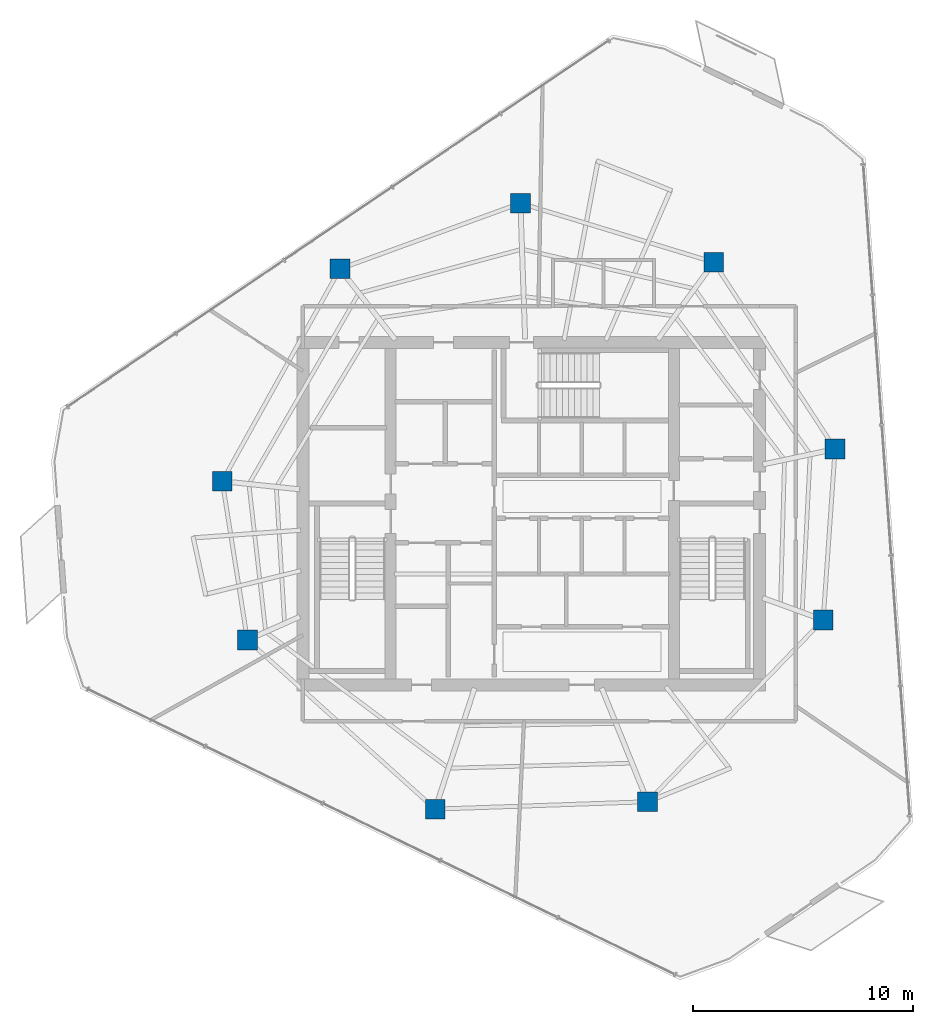
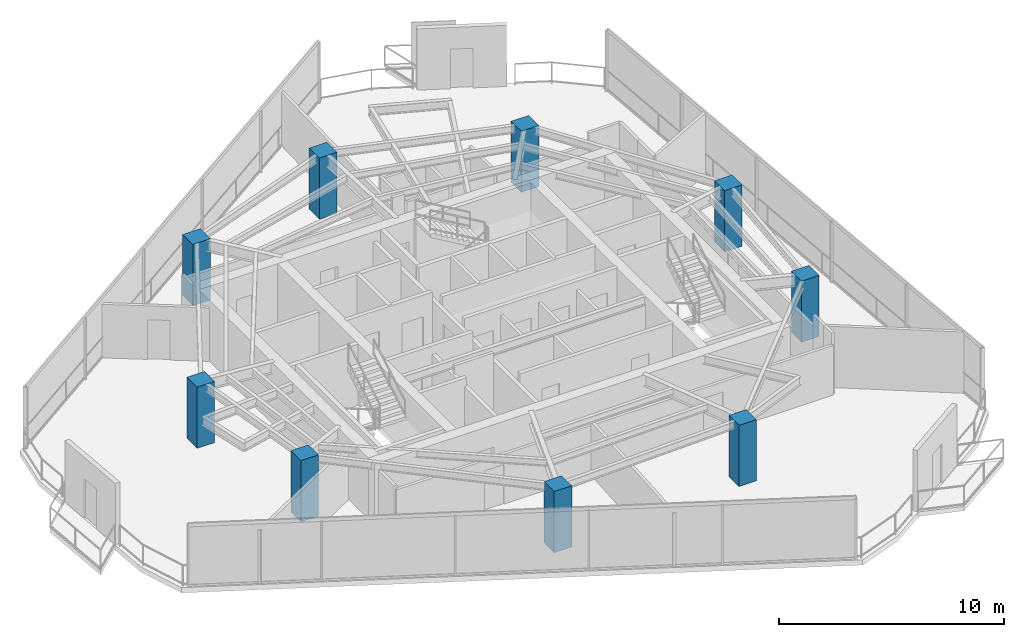
# One storey, part 1 of 20: 9 columns.
"""IFC4 building model written with IfcOpenShell, lengths in metres."""

from ifc_helpers import new_model, si_unit, direction, frame, origin, origin_2d, place, context, subcontext, project, spatial, rectangle, extrude, material, material_profile, profile_set, type_object, element, save


model = new_model("IFC4")

# Units and contexts
model_context = context("Model", 3, precision=1e-05, world=origin(), true_north=direction((0.0, 1.0)))
body_context = subcontext(model_context, "Body", "Model", "MODEL_VIEW")
ifc_project = project(units=[si_unit("LENGTHUNIT", "METRE"), si_unit("AREAUNIT", "SQUARE_METRE"), si_unit("VOLUMEUNIT", "CUBIC_METRE"), si_unit("PLANEANGLEUNIT", "RADIAN"), si_unit("MASSUNIT", "GRAM", prefix="KILO")], contexts=[model_context])

# Site, building, storey
site_placement = place(None, origin())
site = spatial("IfcSite", under=ifc_project, at=site_placement, CompositionType="ELEMENT")
building_placement = place(site_placement, origin())
building = spatial("IfcBuilding", under=site, at=building_placement, Name="Qarnah Convention Tower", CompositionType="ELEMENT")
storey_placement = place(building_placement, frame((0.0, 0.0, 195.0)))
storey = spatial("IfcBuildingStorey", under=building, at=storey_placement, Name="L52", CompositionType="ELEMENT", Elevation=195.0)

# Columns
ifc_material = material(Name="Concrete C50/60", Category="concrete")
ifc_material_profile = material_profile(ifc_material, rectangle(XDim=0.89990234375, YDim=0.89990234375, at=origin_2d()), Name="RC-COL-900X900")
ifc_profile_set = profile_set([ifc_material_profile], Name="Concrete C50/60")
column_type = type_object("IfcColumnType", Name="COL-Z4-900", PredefinedType="COLUMN", material=ifc_profile_set)
for number, where, z_axis, x_axis, name in (
    (1, (51.041015625, 29.342041015625, 0.0), (0.0, 0.0, 1.0), (1.0, 0.0, 0.0), "L52 plumb column PC-Z4-01"),
    (2, (45.51708984375, 37.847900390625, 0.0), (0.0, 0.0, 1.0), (1.0, 0.0, 0.0), "L52 plumb column PC-Z4-02"),
    (3, (36.7060546875, 40.541015625, 0.0), (0.0, 0.0, 1.0), (1.0, 0.0, 0.0), "L52 plumb column PC-Z4-03"),
    (4, (28.488037109375, 37.550048828125, 0.0), (0.0, 0.0, 1.0), (1.0, 0.0, 0.0), "L52 plumb column PC-Z4-04"),
    (5, (23.1279296875, 27.87890625, 0.0), (0.0, 0.0, 1.0), (1.0, 0.0, 0.0), "L52 plumb column PC-Z4-05"),
    (6, (24.27294921875, 20.64501953125, 0.0), (0.0, 0.0, 1.0), (1.0, 0.0, 0.0), "L52 plumb column PC-Z4-06"),
    (7, (32.826904296875, 12.943115234375, 0.0), (0.0, 0.0, 1.0), (1.0, 0.0, 0.0), "L52 plumb column PC-Z4-07"),
    (8, (42.5009765625, 13.280029296875, 0.0), (0.0, 0.0, 1.0), (1.0, 0.0, 0.0), "L52 plumb column PC-Z4-08"),
    (9, (50.4970703125, 21.56005859375, 0.0), (0.0, 0.0, 1.0), (1.0, 0.0, 0.0), "L52 plumb column PC-Z4-09"),
):
    element("IfcColumn", number, at=place(storey_placement, frame(where, z_axis=z_axis, x_axis=x_axis)), inside=storey, type_object=column_type, Name=name, PredefinedType="COLUMN", context=body_context, shape_type="SweptSolid", body=[
        extrude(rectangle(XDim=0.89990234375, YDim=0.89990234375, at=origin_2d()), origin(), (0.0, 0.0, 1.0), 3.320068359375),
    ])

save(model, "model.ifc")
